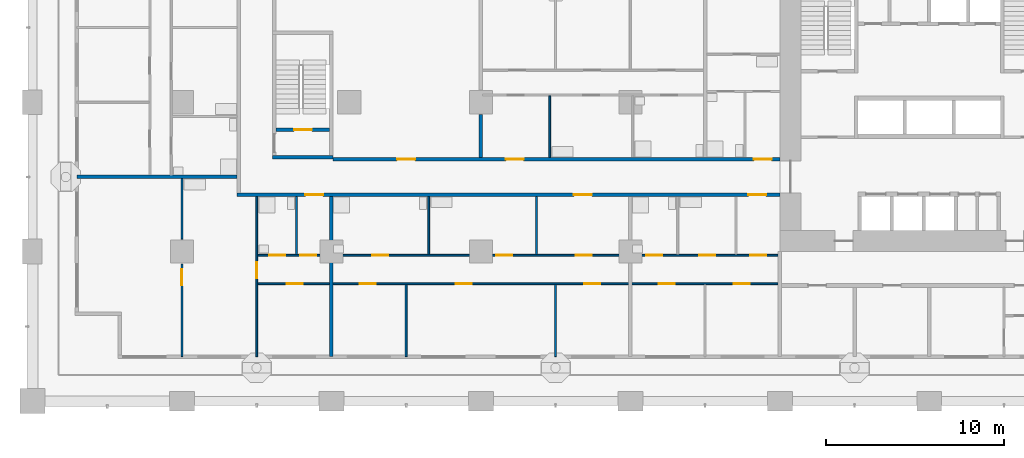
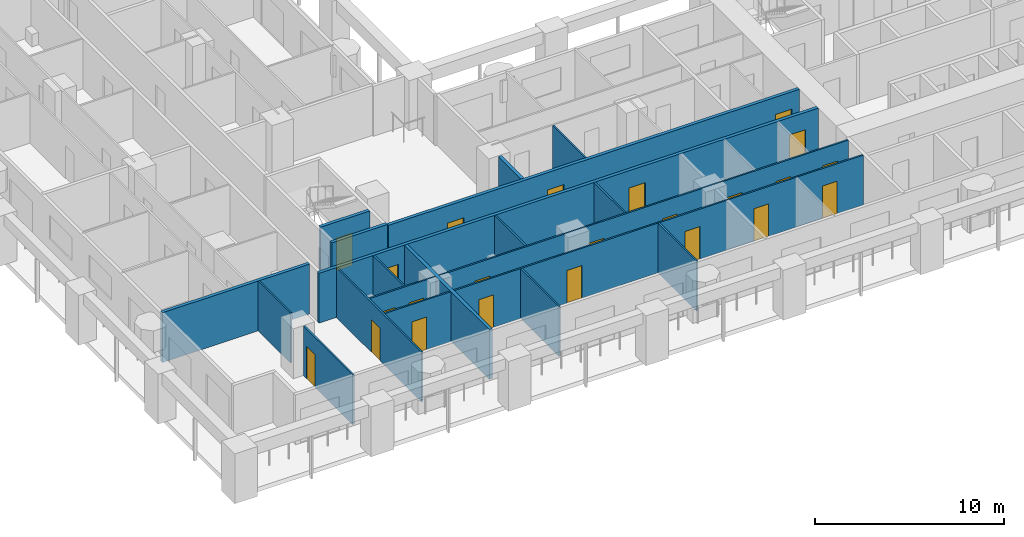
# One storey, part 2 of 20: 23 doors, 18 walls, 23 openings.
"""IFC4 building model written with IfcOpenShell, lengths in metres."""

from ifc_helpers import new_model, si_unit, direction, frame, frame_2d, origin, place, context, subcontext, project, spatial, rectangle, extrude, material, layer, layer_set, type_object, element, fill, save


model = new_model("IFC4")

# Units and contexts
model_context = context("Model", 3, precision=1e-05, world=origin(), true_north=direction((0.0, 1.0)))
body_context = subcontext(model_context, "Body", "Model", "MODEL_VIEW")
ifc_project = project(units=[si_unit("LENGTHUNIT", "METRE"), si_unit("AREAUNIT", "SQUARE_METRE"), si_unit("VOLUMEUNIT", "CUBIC_METRE"), si_unit("PLANEANGLEUNIT", "RADIAN"), si_unit("MASSUNIT", "GRAM", prefix="KILO")], contexts=[model_context])

# Site, building, storey
site_placement = place(None, origin())
site = spatial("IfcSite", under=ifc_project, at=site_placement, CompositionType="ELEMENT")
building_placement = place(site_placement, origin())
building = spatial("IfcBuilding", under=site, at=building_placement, Name="Vermilion Gate Residences", CompositionType="ELEMENT")
storey_placement = place(building_placement, frame((0.0, 0.0, 35.699951171875)))
storey = spatial("IfcBuildingStorey", under=building, at=storey_placement, Name="L07", CompositionType="ELEMENT", Elevation=35.699951171875)

# Wall, openings, doors
ifc_material_1 = material(Name="Plasterboard on steel studs", Category="steel")
ifc_layer_1 = layer(ifc_material_1, 0.10009765625)
ifc_layer_set_1 = layer_set([ifc_layer_1], Name="PARTITION 100")
wall_type_1 = type_object("IfcWallType", Name="PARTITION 100", PredefinedType="PARTITIONING", material=ifc_layer_set_1)
wall_1_placement = place(storey_placement, frame((12.64990234375, 6.60009765625, 0.0), z_axis=(0.0, 0.0, 1.0), x_axis=(1.0, 0.0, 0.0)))
wall_1 = element("IfcWall", 1, at=wall_1_placement, inside=storey, type_object=wall_type_1, Name="Partition", PredefinedType="PARTITIONING", context=body_context, shape_type="SweptSolid", body=[
    extrude(rectangle(XDim=29.25, YDim=0.10009765625, at=frame_2d((14.625, 0.0))), origin(), (0.0, 0.0, 1.0), 3.219970703125),
])
opening_1_placement = place(wall_1_placement, frame((1.64990234375, 0.0, 0.0)))
opening_1 = element("IfcOpeningElement", 2, at=opening_1_placement, cuts=wall_1, Name="Opening DA07007", PredefinedType="OPENING", context=body_context, shape_type="SweptSolid", body=[
    extrude(rectangle(XDim=0.89990234375, YDim=2.10009765625, at=frame_2d((0.449951171875, 1.050048828125))), frame((0.0, 0.06005859375, 0.0), z_axis=(0.0, -1.0, 0.0), x_axis=(1.0, 0.0, 0.0)), (0.0, 0.0, 1.0), 0.1201171875),
])
opening_2_placement = place(wall_1_placement, frame((5.75, 0.0, 0.0)))
opening_2 = element("IfcOpeningElement", 3, at=opening_2_placement, cuts=wall_1, Name="Opening DA07008", PredefinedType="OPENING", context=body_context, shape_type="SweptSolid", body=[
    extrude(rectangle(XDim=0.89990234375, YDim=2.10009765625, at=frame_2d((0.449951171875, 1.050048828125))), frame((0.0, 0.06005859375, 0.0), z_axis=(0.0, -1.0, 0.0), x_axis=(1.0, 0.0, 0.0)), (0.0, 0.0, 1.0), 0.1201171875),
])
opening_3_placement = place(wall_1_placement, frame((11.14990234375, 0.0, 0.0)))
opening_3 = element("IfcOpeningElement", 4, at=opening_3_placement, cuts=wall_1, Name="Opening DA07009", PredefinedType="OPENING", context=body_context, shape_type="SweptSolid", body=[
    extrude(rectangle(XDim=0.89990234375, YDim=2.10009765625, at=frame_2d((0.449951171875, 1.050048828125))), frame((0.0, 0.06005859375, 0.0), z_axis=(0.0, -1.0, 0.0), x_axis=(1.0, 0.0, 0.0)), (0.0, 0.0, 1.0), 0.1201171875),
])
opening_4_placement = place(wall_1_placement, frame((18.35009765625, 0.0, 0.0)))
opening_4 = element("IfcOpeningElement", 5, at=opening_4_placement, cuts=wall_1, Name="Opening DA07010", PredefinedType="OPENING", context=body_context, shape_type="SweptSolid", body=[
    extrude(rectangle(XDim=0.89990234375, YDim=2.10009765625, at=frame_2d((0.449951171875, 1.050048828125))), frame((0.0, 0.06005859375, 0.0), z_axis=(0.0, -1.0, 0.0), x_axis=(1.0, 0.0, 0.0)), (0.0, 0.0, 1.0), 0.1201171875),
])
opening_5_placement = place(wall_1_placement, frame((22.550048828125, 0.0, 0.0)))
opening_5 = element("IfcOpeningElement", 6, at=opening_5_placement, cuts=wall_1, Name="Opening DA07011", PredefinedType="OPENING", context=body_context, shape_type="SweptSolid", body=[
    extrude(rectangle(XDim=0.89990234375, YDim=2.10009765625, at=frame_2d((0.449951171875, 1.050048828125))), frame((0.0, 0.06005859375, 0.0), z_axis=(0.0, -1.0, 0.0), x_axis=(1.0, 0.0, 0.0)), (0.0, 0.0, 1.0), 0.1201171875),
])
opening_6_placement = place(wall_1_placement, frame((26.75, 0.0, 0.0)))
opening_6 = element("IfcOpeningElement", 7, at=opening_6_placement, cuts=wall_1, Name="Opening DA07012", PredefinedType="OPENING", context=body_context, shape_type="SweptSolid", body=[
    extrude(rectangle(XDim=0.89990234375, YDim=2.10009765625, at=frame_2d((0.449951171875, 1.050048828125))), frame((0.0, 0.06005859375, 0.0), z_axis=(0.0, -1.0, 0.0), x_axis=(1.0, 0.0, 0.0)), (0.0, 0.0, 1.0), 0.1201171875),
])
ifc_material_2 = material(Name="Timber", Category="wood")
door_type_1 = type_object("IfcDoorType", Name="INTERIOR DOOR 900 X 2100", OperationType="SINGLE_SWING_LEFT", PredefinedType="DOOR", material=ifc_material_2)
door_1_placement = place(opening_1_placement, frame((0.89990234375, 0.0, 0.0), z_axis=(0.0, 0.0, 1.0), x_axis=(-1.0, 0.0, 0.0)))
door_1 = element("IfcDoor", 8, at=door_1_placement, inside=storey, type_object=door_type_1, Name="Interior door", OperationType="SINGLE_SWING_LEFT", OverallHeight=2.10009765625, OverallWidth=0.89990234375, PredefinedType="DOOR", context=body_context, shape_type="SweptSolid", body=[
    extrude(rectangle(XDim=0.89990234375, YDim=2.10009765625, at=frame_2d((0.449951171875, 1.050048828125))), frame((0.0, 0.02490234375, 0.0), z_axis=(0.0, -1.0, 0.0), x_axis=(1.0, 0.0, 0.0)), (0.0, 0.0, 1.0), 0.050048828125),
])
fill(opening_1, door_1)
door_2_placement = place(opening_2_placement, frame((0.89990234375, 0.0, 0.0), z_axis=(0.0, 0.0, 1.0), x_axis=(-1.0, 0.0, 0.0)))
door_2 = element("IfcDoor", 9, at=door_2_placement, inside=storey, type_object=door_type_1, Name="Interior door", OperationType="SINGLE_SWING_RIGHT", OverallHeight=2.10009765625, OverallWidth=0.89990234375, PredefinedType="DOOR", context=body_context, shape_type="SweptSolid", body=[
    extrude(rectangle(XDim=0.89990234375, YDim=2.10009765625, at=frame_2d((0.449951171875, 1.050048828125))), frame((0.0, 0.02490234375, 0.0), z_axis=(0.0, -1.0, 0.0), x_axis=(1.0, 0.0, 0.0)), (0.0, 0.0, 1.0), 0.050048828125),
])
fill(opening_2, door_2)
door_3_placement = place(opening_3_placement, frame((0.89990234375, 0.0, 0.0), z_axis=(0.0, 0.0, 1.0), x_axis=(-1.0, 0.0, 0.0)))
door_3 = element("IfcDoor", 10, at=door_3_placement, inside=storey, type_object=door_type_1, Name="Interior door", OperationType="SINGLE_SWING_RIGHT", OverallHeight=2.10009765625, OverallWidth=0.89990234375, PredefinedType="DOOR", context=body_context, shape_type="SweptSolid", body=[
    extrude(rectangle(XDim=0.89990234375, YDim=2.10009765625, at=frame_2d((0.449951171875, 1.050048828125))), frame((0.0, 0.02490234375, 0.0), z_axis=(0.0, -1.0, 0.0), x_axis=(1.0, 0.0, 0.0)), (0.0, 0.0, 1.0), 0.050048828125),
])
fill(opening_3, door_3)
door_4_placement = place(opening_4_placement, frame((0.89990234375, 0.0, 0.0), z_axis=(0.0, 0.0, 1.0), x_axis=(-1.0, 0.0, 0.0)))
door_4 = element("IfcDoor", 11, at=door_4_placement, inside=storey, type_object=door_type_1, Name="Interior door", OperationType="SINGLE_SWING_RIGHT", OverallHeight=2.10009765625, OverallWidth=0.89990234375, PredefinedType="DOOR", context=body_context, shape_type="SweptSolid", body=[
    extrude(rectangle(XDim=0.89990234375, YDim=2.10009765625, at=frame_2d((0.449951171875, 1.050048828125))), frame((0.0, 0.02490234375, 0.0), z_axis=(0.0, -1.0, 0.0), x_axis=(1.0, 0.0, 0.0)), (0.0, 0.0, 1.0), 0.050048828125),
])
fill(opening_4, door_4)
door_5_placement = place(opening_5_placement, frame((0.89990234375, 0.0, 0.0), z_axis=(0.0, 0.0, 1.0), x_axis=(-1.0, 0.0, 0.0)))
door_5 = element("IfcDoor", 12, at=door_5_placement, inside=storey, type_object=door_type_1, Name="Interior door", OperationType="SINGLE_SWING_RIGHT", OverallHeight=2.10009765625, OverallWidth=0.89990234375, PredefinedType="DOOR", context=body_context, shape_type="SweptSolid", body=[
    extrude(rectangle(XDim=0.89990234375, YDim=2.10009765625, at=frame_2d((0.449951171875, 1.050048828125))), frame((0.0, 0.02490234375, 0.0), z_axis=(0.0, -1.0, 0.0), x_axis=(1.0, 0.0, 0.0)), (0.0, 0.0, 1.0), 0.050048828125),
])
fill(opening_5, door_5)
door_6_placement = place(opening_6_placement, frame((0.89990234375, 0.0, 0.0), z_axis=(0.0, 0.0, 1.0), x_axis=(-1.0, 0.0, 0.0)))
door_6 = element("IfcDoor", 13, at=door_6_placement, inside=storey, type_object=door_type_1, Name="Interior door", OperationType="SINGLE_SWING_RIGHT", OverallHeight=2.10009765625, OverallWidth=0.89990234375, PredefinedType="DOOR", context=body_context, shape_type="SweptSolid", body=[
    extrude(rectangle(XDim=0.89990234375, YDim=2.10009765625, at=frame_2d((0.449951171875, 1.050048828125))), frame((0.0, 0.02490234375, 0.0), z_axis=(0.0, -1.0, 0.0), x_axis=(1.0, 0.0, 0.0)), (0.0, 0.0, 1.0), 0.050048828125),
])
fill(opening_6, door_6)

wall_2_placement = place(storey_placement, frame((12.64990234375, 8.199951171875, 0.0), z_axis=(0.0, 0.0, 1.0), x_axis=(1.0, 0.0, 0.0)))
wall_2 = element("IfcWall", 14, at=wall_2_placement, inside=storey, type_object=wall_type_1, Name="Partition", PredefinedType="PARTITIONING", context=body_context, shape_type="SweptSolid", body=[
    extrude(rectangle(XDim=29.25, YDim=0.10009765625, at=frame_2d((14.625, 0.0))), origin(), (0.0, 0.0, 1.0), 3.219970703125),
])
opening_7_placement = place(wall_2_placement, frame((2.389892578125, 0.0, 0.0)))
opening_7 = element("IfcOpeningElement", 15, at=opening_7_placement, cuts=wall_2, Name="Opening DA07013", PredefinedType="OPENING", context=body_context, shape_type="SweptSolid", body=[
    extrude(rectangle(XDim=0.89990234375, YDim=2.10009765625, at=frame_2d((0.449951171875, 1.050048828125))), frame((0.0, 0.06005859375, 0.0), z_axis=(0.0, -1.0, 0.0), x_axis=(1.0, 0.0, 0.0)), (0.0, 0.0, 1.0), 0.1201171875),
])
opening_8_placement = place(wall_2_placement, frame((0.64990234375, 0.0, 0.0)))
opening_8 = element("IfcOpeningElement", 16, at=opening_8_placement, cuts=wall_2, Name="Opening DA07014", PredefinedType="OPENING", context=body_context, shape_type="SweptSolid", body=[
    extrude(rectangle(XDim=0.89990234375, YDim=2.10009765625, at=frame_2d((0.449951171875, 1.050048828125))), frame((0.0, 0.06005859375, 0.0), z_axis=(0.0, -1.0, 0.0), x_axis=(1.0, 0.0, 0.0)), (0.0, 0.0, 1.0), 0.1201171875),
])
opening_9_placement = place(wall_2_placement, frame((17.883056640625, 0.0, 0.0)))
opening_9 = element("IfcOpeningElement", 17, at=opening_9_placement, cuts=wall_2, Name="Opening DA07015", PredefinedType="OPENING", context=body_context, shape_type="SweptSolid", body=[
    extrude(rectangle(XDim=0.89990234375, YDim=2.10009765625, at=frame_2d((0.449951171875, 1.050048828125))), frame((0.0, 0.06005859375, 0.0), z_axis=(0.0, -1.0, 0.0), x_axis=(1.0, 0.0, 0.0)), (0.0, 0.0, 1.0), 0.1201171875),
])
opening_10_placement = place(wall_2_placement, frame((6.449951171875, 0.0, 0.0)))
opening_10 = element("IfcOpeningElement", 18, at=opening_10_placement, cuts=wall_2, Name="Opening DA07016", PredefinedType="OPENING", context=body_context, shape_type="SweptSolid", body=[
    extrude(rectangle(XDim=0.89990234375, YDim=2.10009765625, at=frame_2d((0.449951171875, 1.050048828125))), frame((0.0, 0.06005859375, 0.0), z_axis=(0.0, -1.0, 0.0), x_axis=(1.0, 0.0, 0.0)), (0.0, 0.0, 1.0), 0.1201171875),
])
opening_11_placement = place(wall_2_placement, frame((13.4169921875, 0.0, 0.0)))
opening_11 = element("IfcOpeningElement", 19, at=opening_11_placement, cuts=wall_2, Name="Opening DA07017", PredefinedType="OPENING", context=body_context, shape_type="SweptSolid", body=[
    extrude(rectangle(XDim=0.89990234375, YDim=2.10009765625, at=frame_2d((0.449951171875, 1.050048828125))), frame((0.0, 0.06005859375, 0.0), z_axis=(0.0, -1.0, 0.0), x_axis=(1.0, 0.0, 0.0)), (0.0, 0.0, 1.0), 0.1201171875),
])
opening_12_placement = place(wall_2_placement, frame((27.68310546875, 0.0, 0.0)))
opening_12 = element("IfcOpeningElement", 20, at=opening_12_placement, cuts=wall_2, Name="Opening DA07018", PredefinedType="OPENING", context=body_context, shape_type="SweptSolid", body=[
    extrude(rectangle(XDim=0.89990234375, YDim=2.10009765625, at=frame_2d((0.449951171875, 1.050048828125))), frame((0.0, 0.06005859375, 0.0), z_axis=(0.0, -1.0, 0.0), x_axis=(1.0, 0.0, 0.0)), (0.0, 0.0, 1.0), 0.1201171875),
])
opening_13_placement = place(wall_2_placement, frame((21.85009765625, 0.0, 0.0)))
opening_13 = element("IfcOpeningElement", 21, at=opening_13_placement, cuts=wall_2, Name="Opening DA07019", PredefinedType="OPENING", context=body_context, shape_type="SweptSolid", body=[
    extrude(rectangle(XDim=0.89990234375, YDim=2.10009765625, at=frame_2d((0.449951171875, 1.050048828125))), frame((0.0, 0.06005859375, 0.0), z_axis=(0.0, -1.0, 0.0), x_axis=(1.0, 0.0, 0.0)), (0.0, 0.0, 1.0), 0.1201171875),
])
opening_14_placement = place(wall_2_placement, frame((24.81689453125, 0.0, 0.0)))
opening_14 = element("IfcOpeningElement", 22, at=opening_14_placement, cuts=wall_2, Name="Opening DA07020", PredefinedType="OPENING", context=body_context, shape_type="SweptSolid", body=[
    extrude(rectangle(XDim=0.89990234375, YDim=2.10009765625, at=frame_2d((0.449951171875, 1.050048828125))), frame((0.0, 0.06005859375, 0.0), z_axis=(0.0, -1.0, 0.0), x_axis=(1.0, 0.0, 0.0)), (0.0, 0.0, 1.0), 0.1201171875),
])
door_7_placement = place(opening_7_placement, origin())
door_7 = element("IfcDoor", 23, at=door_7_placement, inside=storey, type_object=door_type_1, Name="Interior door", OperationType="SINGLE_SWING_LEFT", OverallHeight=2.10009765625, OverallWidth=0.89990234375, PredefinedType="DOOR", context=body_context, shape_type="SweptSolid", body=[
    extrude(rectangle(XDim=0.89990234375, YDim=2.10009765625, at=frame_2d((0.449951171875, 1.050048828125))), frame((0.0, 0.02490234375, 0.0), z_axis=(0.0, -1.0, 0.0), x_axis=(1.0, 0.0, 0.0)), (0.0, 0.0, 1.0), 0.050048828125),
])
fill(opening_7, door_7)
door_8_placement = place(opening_8_placement, origin())
door_8 = element("IfcDoor", 24, at=door_8_placement, inside=storey, type_object=door_type_1, Name="Interior door", OperationType="SINGLE_SWING_LEFT", OverallHeight=2.10009765625, OverallWidth=0.89990234375, PredefinedType="DOOR", context=body_context, shape_type="SweptSolid", body=[
    extrude(rectangle(XDim=0.89990234375, YDim=2.10009765625, at=frame_2d((0.449951171875, 1.050048828125))), frame((0.0, 0.02490234375, 0.0), z_axis=(0.0, -1.0, 0.0), x_axis=(1.0, 0.0, 0.0)), (0.0, 0.0, 1.0), 0.050048828125),
])
fill(opening_8, door_8)
door_9_placement = place(opening_9_placement, origin())
door_9 = element("IfcDoor", 25, at=door_9_placement, inside=storey, type_object=door_type_1, Name="Interior door", OperationType="SINGLE_SWING_RIGHT", OverallHeight=2.10009765625, OverallWidth=0.89990234375, PredefinedType="DOOR", context=body_context, shape_type="SweptSolid", body=[
    extrude(rectangle(XDim=0.89990234375, YDim=2.10009765625, at=frame_2d((0.449951171875, 1.050048828125))), frame((0.0, 0.02490234375, 0.0), z_axis=(0.0, -1.0, 0.0), x_axis=(1.0, 0.0, 0.0)), (0.0, 0.0, 1.0), 0.050048828125),
])
fill(opening_9, door_9)
door_10_placement = place(opening_10_placement, origin())
door_10 = element("IfcDoor", 26, at=door_10_placement, inside=storey, type_object=door_type_1, Name="Interior door", OperationType="SINGLE_SWING_LEFT", OverallHeight=2.10009765625, OverallWidth=0.89990234375, PredefinedType="DOOR", context=body_context, shape_type="SweptSolid", body=[
    extrude(rectangle(XDim=0.89990234375, YDim=2.10009765625, at=frame_2d((0.449951171875, 1.050048828125))), frame((0.0, 0.02490234375, 0.0), z_axis=(0.0, -1.0, 0.0), x_axis=(1.0, 0.0, 0.0)), (0.0, 0.0, 1.0), 0.050048828125),
])
fill(opening_10, door_10)
door_11_placement = place(opening_11_placement, origin())
door_11 = element("IfcDoor", 27, at=door_11_placement, inside=storey, type_object=door_type_1, Name="Interior door", OperationType="SINGLE_SWING_LEFT", OverallHeight=2.10009765625, OverallWidth=0.89990234375, PredefinedType="DOOR", context=body_context, shape_type="SweptSolid", body=[
    extrude(rectangle(XDim=0.89990234375, YDim=2.10009765625, at=frame_2d((0.449951171875, 1.050048828125))), frame((0.0, 0.02490234375, 0.0), z_axis=(0.0, -1.0, 0.0), x_axis=(1.0, 0.0, 0.0)), (0.0, 0.0, 1.0), 0.050048828125),
])
fill(opening_11, door_11)
door_12_placement = place(opening_12_placement, origin())
door_12 = element("IfcDoor", 28, at=door_12_placement, inside=storey, type_object=door_type_1, Name="Interior door", OperationType="SINGLE_SWING_RIGHT", OverallHeight=2.10009765625, OverallWidth=0.89990234375, PredefinedType="DOOR", context=body_context, shape_type="SweptSolid", body=[
    extrude(rectangle(XDim=0.89990234375, YDim=2.10009765625, at=frame_2d((0.449951171875, 1.050048828125))), frame((0.0, 0.02490234375, 0.0), z_axis=(0.0, -1.0, 0.0), x_axis=(1.0, 0.0, 0.0)), (0.0, 0.0, 1.0), 0.050048828125),
])
fill(opening_12, door_12)
door_13_placement = place(opening_13_placement, origin())
door_13 = element("IfcDoor", 29, at=door_13_placement, inside=storey, type_object=door_type_1, Name="Interior door", OperationType="SINGLE_SWING_LEFT", OverallHeight=2.10009765625, OverallWidth=0.89990234375, PredefinedType="DOOR", context=body_context, shape_type="SweptSolid", body=[
    extrude(rectangle(XDim=0.89990234375, YDim=2.10009765625, at=frame_2d((0.449951171875, 1.050048828125))), frame((0.0, 0.02490234375, 0.0), z_axis=(0.0, -1.0, 0.0), x_axis=(1.0, 0.0, 0.0)), (0.0, 0.0, 1.0), 0.050048828125),
])
fill(opening_13, door_13)
door_14_placement = place(opening_14_placement, origin())
door_14 = element("IfcDoor", 30, at=door_14_placement, inside=storey, type_object=door_type_1, Name="Interior door", OperationType="SINGLE_SWING_RIGHT", OverallHeight=2.10009765625, OverallWidth=0.89990234375, PredefinedType="DOOR", context=body_context, shape_type="SweptSolid", body=[
    extrude(rectangle(XDim=0.89990234375, YDim=2.10009765625, at=frame_2d((0.449951171875, 1.050048828125))), frame((0.0, 0.02490234375, 0.0), z_axis=(0.0, -1.0, 0.0), x_axis=(1.0, 0.0, 0.0)), (0.0, 0.0, 1.0), 0.050048828125),
])
fill(opening_14, door_14)

# Wall, opening, door
wall_3_placement = place(storey_placement, frame((8.39990234375, 2.5, 0.0), z_axis=(0.0, 0.0, 1.0), x_axis=(0.0, 1.0, 0.0)))
wall_3 = element("IfcWall", 31, at=wall_3_placement, inside=storey, type_object=wall_type_1, Name="Partition", PredefinedType="PARTITIONING", context=body_context, shape_type="SweptSolid", body=[
    extrude(rectangle(XDim=5.199951171875, YDim=0.10009765625, at=frame_2d((2.60009765625, 0.0))), origin(), (0.0, 0.0, 1.0), 3.219970703125),
])
opening_15_placement = place(wall_3_placement, frame((4.0, 0.0, 0.0)))
opening_15 = element("IfcOpeningElement", 32, at=opening_15_placement, cuts=wall_3, Name="Opening DA07051", PredefinedType="OPENING", context=body_context, shape_type="SweptSolid", body=[
    extrude(rectangle(XDim=0.89990234375, YDim=2.10009765625, at=frame_2d((0.449951171875, 1.050048828125))), frame((0.0, 0.06005859375, 0.0), z_axis=(0.0, -1.0, 0.0), x_axis=(1.0, 0.0, 0.0)), (0.0, 0.0, 1.0), 0.1201171875),
])
door_15_placement = place(opening_15_placement, frame((0.89990234375, 0.0, 0.0), z_axis=(0.0, 0.0, 1.0), x_axis=(-1.0, 0.0, 0.0)))
door_15 = element("IfcDoor", 33, at=door_15_placement, inside=storey, type_object=door_type_1, Name="Interior door", OperationType="SINGLE_SWING_LEFT", OverallHeight=2.10009765625, OverallWidth=0.89990234375, PredefinedType="DOOR", context=body_context, shape_type="SweptSolid", body=[
    extrude(rectangle(XDim=0.89990234375, YDim=2.10009765625, at=frame_2d((0.449951171875, 1.050048828125))), frame((0.0, 0.02490234375, 0.0), z_axis=(0.0, -1.0, 0.0), x_axis=(1.0, 0.0, 0.0)), (0.0, 0.0, 1.0), 0.050048828125),
])
fill(opening_15, door_15)

# Wall
wall_4_placement = place(storey_placement, frame((8.39990234375, 9.10009765625, 0.0), z_axis=(0.0, 0.0, 1.0), x_axis=(0.0, 1.0, 0.0)))
element("IfcWall", 34, at=wall_4_placement, inside=storey, type_object=wall_type_1, Name="Partition", PredefinedType="PARTITIONING", context=body_context, shape_type="SweptSolid", body=[
    extrude(rectangle(XDim=3.39990234375, YDim=0.10009765625, at=frame_2d((1.699951171875, 0.0))), origin(), (0.0, 0.0, 1.0), 3.219970703125),
])

# Wall, opening, door
wall_5_placement = place(storey_placement, frame((12.60009765625, 2.5, 0.0), z_axis=(0.0, 0.0, 1.0), x_axis=(0.0, 1.0, 0.0)))
wall_5 = element("IfcWall", 35, at=wall_5_placement, inside=storey, type_object=wall_type_1, Name="Partition", PredefinedType="PARTITIONING", context=body_context, shape_type="SweptSolid", body=[
    extrude(rectangle(XDim=9.0, YDim=0.10009765625, at=frame_2d((4.5, 0.0))), origin(), (0.0, 0.0, 1.0), 3.219970703125),
])
opening_16_placement = place(wall_5_placement, frame((4.39990234375, 0.0, 0.0)))
opening_16 = element("IfcOpeningElement", 36, at=opening_16_placement, cuts=wall_5, Name="Opening DA07054", PredefinedType="OPENING", context=body_context, shape_type="SweptSolid", body=[
    extrude(rectangle(XDim=0.89990234375, YDim=2.10009765625, at=frame_2d((0.449951171875, 1.050048828125))), frame((0.0, 0.06005859375, 0.0), z_axis=(0.0, -1.0, 0.0), x_axis=(1.0, 0.0, 0.0)), (0.0, 0.0, 1.0), 0.1201171875),
])
door_16_placement = place(opening_16_placement, origin())
door_16 = element("IfcDoor", 37, at=door_16_placement, inside=storey, type_object=door_type_1, Name="Interior door", OperationType="SINGLE_SWING_LEFT", OverallHeight=2.10009765625, OverallWidth=0.89990234375, PredefinedType="DOOR", context=body_context, shape_type="SweptSolid", body=[
    extrude(rectangle(XDim=0.89990234375, YDim=2.10009765625, at=frame_2d((0.449951171875, 1.050048828125))), frame((0.0, 0.02490234375, 0.0), z_axis=(0.0, -1.0, 0.0), x_axis=(1.0, 0.0, 0.0)), (0.0, 0.0, 1.0), 0.050048828125),
])
fill(opening_16, door_16)

# Walls
wall_6_placement = place(storey_placement, frame((14.840087890625, 8.25, 0.0), z_axis=(0.0, 0.0, 1.0), x_axis=(0.0, 1.0, 0.0)))
element("IfcWall", 38, at=wall_6_placement, inside=storey, type_object=wall_type_1, Name="Partition", PredefinedType="PARTITIONING", context=body_context, shape_type="SweptSolid", body=[
    extrude(rectangle(XDim=3.25, YDim=0.10009765625, at=frame_2d((1.625, 0.0))), origin(), (0.0, 0.0, 1.0), 3.219970703125),
])
wall_7_placement = place(storey_placement, frame((21.0, 2.5, 0.0), z_axis=(0.0, 0.0, 1.0), x_axis=(0.0, 1.0, 0.0)))
element("IfcWall", 39, at=wall_7_placement, inside=storey, type_object=wall_type_1, Name="Partition", PredefinedType="PARTITIONING", context=body_context, shape_type="SweptSolid", body=[
    extrude(rectangle(XDim=4.050048828125, YDim=0.10009765625, at=frame_2d((2.02490234375, 0.0))), origin(), (0.0, 0.0, 1.0), 3.219970703125),
])
for number, where, z_axis, x_axis, name in (
    (40, (22.26708984375, 8.25, 0.0), (0.0, 0.0, 1.0), (0.0, 1.0, 0.0), "Partition"),
    (41, (28.3330078125, 8.25, 0.0), (0.0, 0.0, 1.0), (0.0, 1.0, 0.0), "Partition"),
):
    element("IfcWall", number, at=place(storey_placement, frame(where, z_axis=z_axis, x_axis=x_axis)), inside=storey, type_object=wall_type_1, Name=name, PredefinedType="PARTITIONING", context=body_context, shape_type="SweptSolid", body=[
        extrude(rectangle(XDim=3.25, YDim=0.10009765625, at=frame_2d((1.625, 0.0))), origin(), (0.0, 0.0, 1.0), 3.219970703125),
    ])
wall_8_placement = place(storey_placement, frame((29.06689453125, 13.699951171875, 0.0), z_axis=(0.0, 0.0, 1.0), x_axis=(0.0, 1.0, 0.0)))
element("IfcWall", 42, at=wall_8_placement, inside=storey, type_object=wall_type_1, Name="Partition", PredefinedType="PARTITIONING", context=body_context, shape_type="SweptSolid", body=[
    extrude(rectangle(XDim=3.449951171875, YDim=0.10009765625, at=frame_2d((1.72509765625, 0.0))), origin(), (0.0, 0.0, 1.0), 3.219970703125),
])
wall_9_placement = place(storey_placement, frame((29.39990234375, 2.5, 0.0), z_axis=(0.0, 0.0, 1.0), x_axis=(0.0, 1.0, 0.0)))
element("IfcWall", 43, at=wall_9_placement, inside=storey, type_object=wall_type_1, Name="Partition", PredefinedType="PARTITIONING", context=body_context, shape_type="SweptSolid", body=[
    extrude(rectangle(XDim=4.050048828125, YDim=0.10009765625, at=frame_2d((2.02490234375, 0.0))), origin(), (0.0, 0.0, 1.0), 3.219970703125),
])

# Wall, openings, doors
ifc_material_3 = material(Name="Fire-rated plasterboard on steel studs", Category="steel")
ifc_layer_2 = layer(ifc_material_3, 0.199951171875)
ifc_layer_set_2 = layer_set([ifc_layer_2], Name="PARTY WALL 200 EI 120")
wall_type_2 = type_object("IfcWallType", Name="PARTY WALL 200 EI 120", PredefinedType="PARTITIONING", material=ifc_layer_set_2)
wall_10_placement = place(storey_placement, frame((11.5, 11.60009765625, 0.0), z_axis=(0.0, 0.0, 1.0), x_axis=(1.0, 0.0, 0.0)))
wall_10 = element("IfcWall", 44, at=wall_10_placement, inside=storey, type_object=wall_type_2, Name="Party and corridor wall", PredefinedType="PARTITIONING", context=body_context, shape_type="SweptSolid", body=[
    extrude(rectangle(XDim=30.5, YDim=0.199951171875, at=frame_2d((15.25, 0.0))), origin(), (0.0, 0.0, 1.0), 3.219970703125),
])
opening_17_placement = place(wall_10_placement, frame((3.840087890625, 0.0, 0.0)))
opening_17 = element("IfcOpeningElement", 45, at=opening_17_placement, cuts=wall_10, Name="Opening DA07021", PredefinedType="OPENING", context=body_context, shape_type="SweptSolid", body=[
    extrude(rectangle(XDim=1.0, YDim=2.10009765625, at=frame_2d((0.5, 1.050048828125))), frame((0.0, 0.10986328125, 0.0), z_axis=(0.0, -1.0, 0.0), x_axis=(1.0, 0.0, 0.0)), (0.0, 0.0, 1.0), 0.219970703125),
])
opening_18_placement = place(wall_10_placement, frame((18.93310546875, 0.0, 0.0)))
opening_18 = element("IfcOpeningElement", 46, at=opening_18_placement, cuts=wall_10, Name="Opening DA07022", PredefinedType="OPENING", context=body_context, shape_type="SweptSolid", body=[
    extrude(rectangle(XDim=1.0, YDim=2.10009765625, at=frame_2d((0.5, 1.050048828125))), frame((0.0, 0.10986328125, 0.0), z_axis=(0.0, -1.0, 0.0), x_axis=(1.0, 0.0, 0.0)), (0.0, 0.0, 1.0), 0.219970703125),
])
opening_19_placement = place(wall_10_placement, frame((28.73291015625, 0.0, 0.0)))
opening_19 = element("IfcOpeningElement", 47, at=opening_19_placement, cuts=wall_10, Name="Opening DA07023", PredefinedType="OPENING", context=body_context, shape_type="SweptSolid", body=[
    extrude(rectangle(XDim=1.0, YDim=2.10009765625, at=frame_2d((0.5, 1.050048828125))), frame((0.0, 0.10986328125, 0.0), z_axis=(0.0, -1.0, 0.0), x_axis=(1.0, 0.0, 0.0)), (0.0, 0.0, 1.0), 0.219970703125),
])
ifc_material_4 = material(Name="Steel", Category="steel")
door_type_2 = type_object("IfcDoorType", Name="ENTRANCE DOOR 1000 X 2100 FD30", OperationType="SINGLE_SWING_LEFT", PredefinedType="DOOR", material=ifc_material_4)
door_17_placement = place(opening_17_placement, frame((1.0, 0.0, 0.0), z_axis=(0.0, 0.0, 1.0), x_axis=(-1.0, 0.0, 0.0)))
door_17 = element("IfcDoor", 48, at=door_17_placement, inside=storey, type_object=door_type_2, Name="Entrance door", OperationType="SINGLE_SWING_LEFT", OverallHeight=2.10009765625, OverallWidth=1.0, PredefinedType="DOOR", context=body_context, shape_type="SweptSolid", body=[
    extrude(rectangle(XDim=1.0, YDim=2.10009765625, at=frame_2d((0.5, 1.050048828125))), frame((0.0, 0.02490234375, 0.0), z_axis=(0.0, -1.0, 0.0), x_axis=(1.0, 0.0, 0.0)), (0.0, 0.0, 1.0), 0.050048828125),
])
fill(opening_17, door_17)
door_18_placement = place(opening_18_placement, frame((1.0, 0.0, 0.0), z_axis=(0.0, 0.0, 1.0), x_axis=(-1.0, 0.0, 0.0)))
door_18 = element("IfcDoor", 49, at=door_18_placement, inside=storey, type_object=door_type_2, Name="Entrance door", OperationType="SINGLE_SWING_RIGHT", OverallHeight=2.10009765625, OverallWidth=1.0, PredefinedType="DOOR", context=body_context, shape_type="SweptSolid", body=[
    extrude(rectangle(XDim=1.0, YDim=2.10009765625, at=frame_2d((0.5, 1.050048828125))), frame((0.0, 0.02490234375, 0.0), z_axis=(0.0, -1.0, 0.0), x_axis=(1.0, 0.0, 0.0)), (0.0, 0.0, 1.0), 0.050048828125),
])
fill(opening_18, door_18)
door_19_placement = place(opening_19_placement, frame((1.0, 0.0, 0.0), z_axis=(0.0, 0.0, 1.0), x_axis=(-1.0, 0.0, 0.0)))
door_19 = element("IfcDoor", 50, at=door_19_placement, inside=storey, type_object=door_type_2, Name="Entrance door", OperationType="SINGLE_SWING_RIGHT", OverallHeight=2.10009765625, OverallWidth=1.0, PredefinedType="DOOR", context=body_context, shape_type="SweptSolid", body=[
    extrude(rectangle(XDim=1.0, YDim=2.10009765625, at=frame_2d((0.5, 1.050048828125))), frame((0.0, 0.02490234375, 0.0), z_axis=(0.0, -1.0, 0.0), x_axis=(1.0, 0.0, 0.0)), (0.0, 0.0, 1.0), 0.050048828125),
])
fill(opening_19, door_19)

# Wall
wall_11_placement = place(storey_placement, frame((2.5, 12.60009765625, 0.0), z_axis=(0.0, 0.0, 1.0), x_axis=(1.0, 0.0, 0.0)))
element("IfcWall", 51, at=wall_11_placement, inside=storey, type_object=wall_type_2, Name="Party and corridor wall", PredefinedType="PARTITIONING", context=body_context, shape_type="SweptSolid", body=[
    extrude(rectangle(XDim=9.0, YDim=0.199951171875, at=frame_2d((4.5, 0.0))), origin(), (0.0, 0.0, 1.0), 3.219970703125),
])

# Wall, openings, doors
wall_12_placement = place(storey_placement, frame((16.89990234375, 13.60009765625, 0.0), z_axis=(0.0, 0.0, 1.0), x_axis=(1.0, 0.0, 0.0)))
wall_12 = element("IfcWall", 52, at=wall_12_placement, inside=storey, type_object=wall_type_2, Name="Party and corridor wall", PredefinedType="PARTITIONING", context=body_context, shape_type="SweptSolid", body=[
    extrude(rectangle(XDim=25.10009765625, YDim=0.199951171875, at=frame_2d((12.550048828125, 0.0))), origin(), (0.0, 0.0, 1.0), 3.219970703125),
])
opening_20_placement = place(wall_12_placement, frame((9.699951171875, 0.0, 0.0)))
opening_20 = element("IfcOpeningElement", 53, at=opening_20_placement, cuts=wall_12, Name="Opening DA07024", PredefinedType="OPENING", context=body_context, shape_type="SweptSolid", body=[
    extrude(rectangle(XDim=1.0, YDim=2.10009765625, at=frame_2d((0.5, 1.050048828125))), frame((0.0, 0.10986328125, 0.0), z_axis=(0.0, -1.0, 0.0), x_axis=(1.0, 0.0, 0.0)), (0.0, 0.0, 1.0), 0.219970703125),
])
opening_21_placement = place(wall_12_placement, frame((23.639892578125, 0.0, 0.0)))
opening_21 = element("IfcOpeningElement", 54, at=opening_21_placement, cuts=wall_12, Name="Opening DA07025", PredefinedType="OPENING", context=body_context, shape_type="SweptSolid", body=[
    extrude(rectangle(XDim=1.0, YDim=2.10009765625, at=frame_2d((0.5, 1.050048828125))), frame((0.0, 0.10986328125, 0.0), z_axis=(0.0, -1.0, 0.0), x_axis=(1.0, 0.0, 0.0)), (0.0, 0.0, 1.0), 0.219970703125),
])
opening_22_placement = place(wall_12_placement, frame((3.60009765625, 0.0, 0.0)))
opening_22 = element("IfcOpeningElement", 55, at=opening_22_placement, cuts=wall_12, Name="Opening DA07026", PredefinedType="OPENING", context=body_context, shape_type="SweptSolid", body=[
    extrude(rectangle(XDim=1.0, YDim=2.10009765625, at=frame_2d((0.5, 1.050048828125))), frame((0.0, 0.10986328125, 0.0), z_axis=(0.0, -1.0, 0.0), x_axis=(1.0, 0.0, 0.0)), (0.0, 0.0, 1.0), 0.219970703125),
])
door_20_placement = place(opening_20_placement, origin())
door_20 = element("IfcDoor", 56, at=door_20_placement, inside=storey, type_object=door_type_2, Name="Entrance door", OperationType="SINGLE_SWING_LEFT", OverallHeight=2.10009765625, OverallWidth=1.0, PredefinedType="DOOR", context=body_context, shape_type="SweptSolid", body=[
    extrude(rectangle(XDim=1.0, YDim=2.10009765625, at=frame_2d((0.5, 1.050048828125))), frame((0.0, 0.02490234375, 0.0), z_axis=(0.0, -1.0, 0.0), x_axis=(1.0, 0.0, 0.0)), (0.0, 0.0, 1.0), 0.050048828125),
])
fill(opening_20, door_20)
door_21_placement = place(opening_21_placement, origin())
door_21 = element("IfcDoor", 57, at=door_21_placement, inside=storey, type_object=door_type_2, Name="Entrance door", OperationType="SINGLE_SWING_LEFT", OverallHeight=2.10009765625, OverallWidth=1.0, PredefinedType="DOOR", context=body_context, shape_type="SweptSolid", body=[
    extrude(rectangle(XDim=1.0, YDim=2.10009765625, at=frame_2d((0.5, 1.050048828125))), frame((0.0, 0.02490234375, 0.0), z_axis=(0.0, -1.0, 0.0), x_axis=(1.0, 0.0, 0.0)), (0.0, 0.0, 1.0), 0.050048828125),
])
fill(opening_21, door_21)
door_22_placement = place(opening_22_placement, origin())
door_22 = element("IfcDoor", 58, at=door_22_placement, inside=storey, type_object=door_type_2, Name="Entrance door", OperationType="SINGLE_SWING_LEFT", OverallHeight=2.10009765625, OverallWidth=1.0, PredefinedType="DOOR", context=body_context, shape_type="SweptSolid", body=[
    extrude(rectangle(XDim=1.0, YDim=2.10009765625, at=frame_2d((0.5, 1.050048828125))), frame((0.0, 0.02490234375, 0.0), z_axis=(0.0, -1.0, 0.0), x_axis=(1.0, 0.0, 0.0)), (0.0, 0.0, 1.0), 0.050048828125),
])
fill(opening_22, door_22)

# Walls
wall_13_placement = place(storey_placement, frame((16.800048828125, 2.5, 0.0), z_axis=(0.0, 0.0, 1.0), x_axis=(0.0, 1.0, 0.0)))
element("IfcWall", 59, at=wall_13_placement, inside=storey, type_object=wall_type_2, Name="Party and corridor wall", PredefinedType="PARTITIONING", context=body_context, shape_type="SweptSolid", body=[
    extrude(rectangle(XDim=9.0, YDim=0.199951171875, at=frame_2d((4.5, 0.0))), origin(), (0.0, 0.0, 1.0), 3.219970703125),
])
wall_14_placement = place(storey_placement, frame((25.199951171875, 13.699951171875, 0.0), z_axis=(0.0, 0.0, 1.0), x_axis=(0.0, 1.0, 0.0)))
element("IfcWall", 60, at=wall_14_placement, inside=storey, type_object=wall_type_2, Name="Party and corridor wall", PredefinedType="PARTITIONING", context=body_context, shape_type="SweptSolid", body=[
    extrude(rectangle(XDim=2.400146484375, YDim=0.199951171875, at=frame_2d((1.2001953125, 0.0))), origin(), (0.0, 0.0, 1.0), 3.219970703125),
])
ifc_material_5 = material(Name="Concrete C60", Category="concrete")
ifc_layer_3 = layer(ifc_material_5, 0.199951171875)
ifc_layer_set_3 = layer_set([ifc_layer_3], Name="RC CORE INTERNAL WALL 200 C60")
wall_type_3 = type_object("IfcWallType", Name="RC CORE INTERNAL WALL 200 C60", PredefinedType="SHEAR", material=ifc_layer_set_3)
wall_15_placement = place(storey_placement, frame((13.5, 13.699951171875, 0.0), z_axis=(0.0, 0.0, 1.0), x_axis=(1.0, 0.0, 0.0)))
element("IfcWall", 61, at=wall_15_placement, inside=storey, type_object=wall_type_3, Name="Core internal wall C07-S", PredefinedType="SHEAR", context=body_context, shape_type="SweptSolid", body=[
    extrude(rectangle(XDim=3.39990234375, YDim=0.199951171875, at=frame_2d((1.699951171875, 0.0))), origin(), (0.0, 0.0, 1.0), 3.219970703125),
])

# Wall, opening, door
wall_16_placement = place(storey_placement, frame((13.699951171875, 15.25, 0.0), z_axis=(0.0, 0.0, 1.0), x_axis=(1.0, 0.0, 0.0)))
wall_16 = element("IfcWall", 62, at=wall_16_placement, inside=storey, type_object=wall_type_3, Name="Core internal wall C07-P", PredefinedType="SHEAR", context=body_context, shape_type="SweptSolid", body=[
    extrude(rectangle(XDim=3.0, YDim=0.199951171875, at=frame_2d((1.5, 0.0))), origin(), (0.0, 0.0, 1.0), 3.219970703125),
])
opening_23_placement = place(wall_16_placement, frame((1.0, 0.0, 0.0)))
opening_23 = element("IfcOpeningElement", 63, at=opening_23_placement, cuts=wall_16, Name="Opening DK07202", PredefinedType="OPENING", context=body_context, shape_type="SweptSolid", body=[
    extrude(rectangle(XDim=1.0, YDim=2.10009765625, at=frame_2d((0.5, 1.050048828125))), frame((0.0, 0.10986328125, 0.0), z_axis=(0.0, -1.0, 0.0), x_axis=(1.0, 0.0, 0.0)), (0.0, 0.0, 1.0), 0.219970703125),
])
ifc_material_6 = material(Name="Steel", Category="steel")
door_type_3 = type_object("IfcDoorType", Name="FIRE DOOR FD60 1000 X 2100", OperationType="SINGLE_SWING_LEFT", PredefinedType="DOOR", material=ifc_material_6)
door_23_placement = place(opening_23_placement, origin())
door_23 = element("IfcDoor", 64, at=door_23_placement, inside=storey, type_object=door_type_3, Name="Stair door C07", OperationType="SINGLE_SWING_LEFT", OverallHeight=2.10009765625, OverallWidth=1.0, PredefinedType="DOOR", context=body_context, shape_type="SweptSolid", body=[
    extrude(rectangle(XDim=1.0, YDim=2.10009765625, at=frame_2d((0.5, 1.050048828125))), frame((0.0, 0.02490234375, 0.0), z_axis=(0.0, -1.0, 0.0), x_axis=(1.0, 0.0, 0.0)), (0.0, 0.0, 1.0), 0.050048828125),
])
fill(opening_23, door_23)

save(model, "model.ifc")
